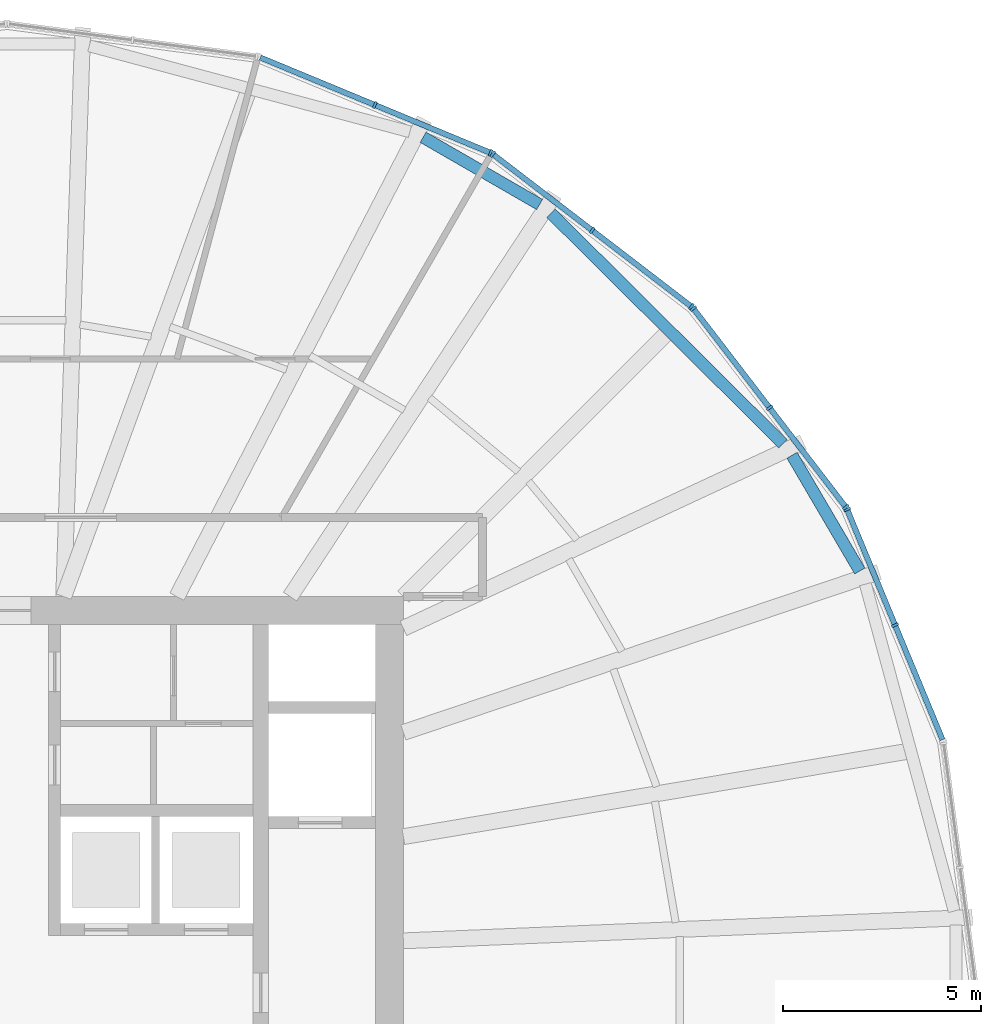
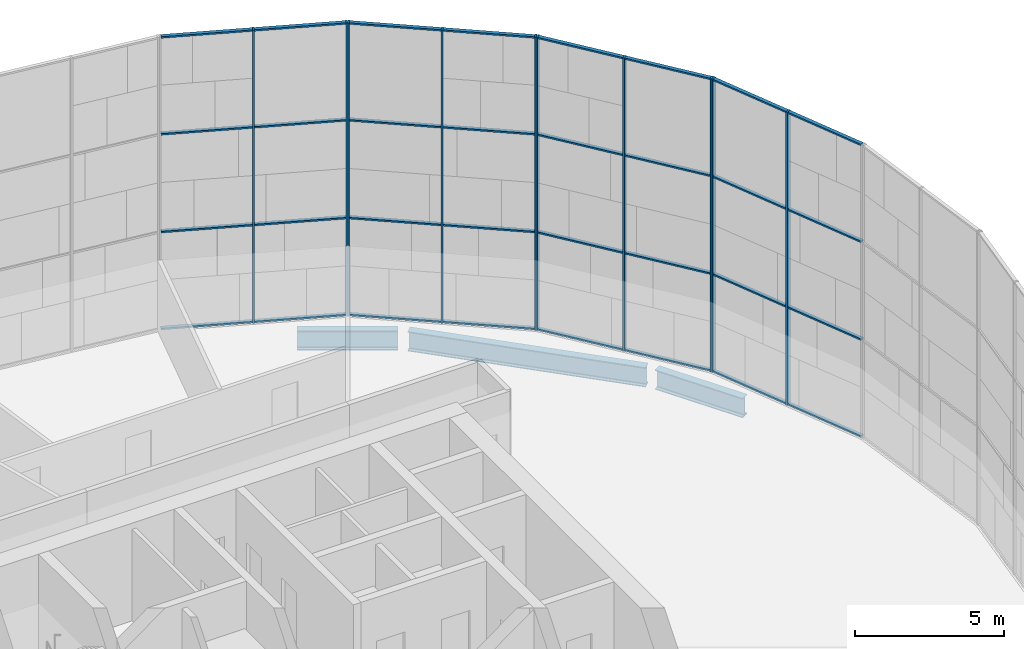
# One storey, part 8 of 22: 42 members, 3 beams, 4 elements without a shape of their own.
"""IFC4 building model written with IfcOpenShell, lengths in metres."""

from ifc_helpers import new_model, si_unit, direction, frame, origin, origin_2d, place, context, subcontext, project, spatial, rectangle, i_section, extrude, material, material_profile, profile_set, type_object, element, aggregate, save


model = new_model("IFC4")

# Units and contexts
model_context = context("Model", 3, precision=1e-05, world=origin(), true_north=direction((0.0, 1.0)))
body_context = subcontext(model_context, "Body", "Model", "MODEL_VIEW")
ifc_project = project(units=[si_unit("LENGTHUNIT", "METRE"), si_unit("AREAUNIT", "SQUARE_METRE"), si_unit("VOLUMEUNIT", "CUBIC_METRE"), si_unit("PLANEANGLEUNIT", "RADIAN"), si_unit("MASSUNIT", "GRAM", prefix="KILO")], contexts=[model_context])

# Site, building, storey
site_placement = place(None, origin())
site = spatial("IfcSite", under=ifc_project, at=site_placement, CompositionType="ELEMENT")
building_placement = place(site_placement, origin())
building = spatial("IfcBuilding", under=site, at=building_placement, Name="Golbaran Civic Tower", CompositionType="ELEMENT")
storey_placement = place(building_placement, frame((0.0, 0.0, 90.0)))
storey = spatial("IfcBuildingStorey", under=building, at=storey_placement, Name="L21", CompositionType="ELEMENT", Elevation=90.0)

# Beams
ifc_material_1 = material(Name="Steel S355", Category="steel")
ifc_material_profile_1 = material_profile(ifc_material_1, i_section(OverallWidth=0.300048828125, OverallDepth=0.800048828125, WebThickness=0.017578125, FlangeThickness=0.032958984375, FilletRadius=0.030029296875, at=origin_2d()), Name="HEB 800")
ifc_profile_set_1 = profile_set([ifc_material_profile_1], Name="Steel S355")
beam_type = type_object("IfcBeamType", Name="EDGE BEAM HEB 800", PredefinedType="BEAM", material=ifc_profile_set_1)
beam_1_placement = place(storey_placement, frame((21.517822265625, 10.6474609375, -0.60009765625), z_axis=(-0.50551208976, 0.862819521746, 0.0), x_axis=(-0.862819521746, -0.50551208976, 0.0)))
element("IfcBeam", 1, at=beam_1_placement, inside=storey, type_object=beam_type, Name="Edge beam 25.58 L21", PredefinedType="BEAM", context=body_context, shape_type="SweptSolid", body=[
    extrude(i_section(OverallWidth=0.300048828125, OverallDepth=0.800048828125, WebThickness=0.017578125, FlangeThickness=0.032958984375, FilletRadius=0.030029296875, at=origin_2d()), origin(), (0.0, 0.0, 1.0), 3.383544921875),
])
beam_2_placement = place(storey_placement, frame((19.580078125, 13.858154296875, -0.60009765625), z_axis=(-0.709410042226, 0.704795993171, 0.0), x_axis=(-0.704795993171, -0.709410042226, 0.0)))
element("IfcBeam", 2, at=beam_2_placement, inside=storey, type_object=beam_type, Name="Edge beam 34.42 L21", PredefinedType="BEAM", context=body_context, shape_type="SweptSolid", body=[
    extrude(i_section(OverallWidth=0.300048828125, OverallDepth=0.800048828125, WebThickness=0.017578125, FlangeThickness=0.032958984375, FilletRadius=0.030029296875, at=origin_2d()), origin(), (0.0, 0.0, 1.0), 8.25439453125),
])
beam_3_placement = place(storey_placement, frame((13.43798828125, 19.895263671875, -0.60009765625), z_axis=(-0.866177202748, 0.499736984262, 0.0), x_axis=(-0.499736984262, -0.866177202748, 0.0)))
element("IfcBeam", 3, at=beam_3_placement, inside=storey, type_object=beam_type, Name="Edge beam 55.58 L21", PredefinedType="BEAM", context=body_context, shape_type="SweptSolid", body=[
    extrude(i_section(OverallWidth=0.300048828125, OverallDepth=0.800048828125, WebThickness=0.017578125, FlangeThickness=0.032958984375, FilletRadius=0.030029296875, at=origin_2d()), origin(), (0.0, 0.0, 1.0), 3.393798828125),
])

# Curtain wall, members
ifc_material_2 = material(Name="Aluminium and glass", Category="aluminium")
curtain_wall_type = type_object("IfcCurtainWallType", Name="INNER SKIN CURTAIN WALL", PredefinedType="NOTDEFINED", material=ifc_material_2)
curtain_wall_1_placement = place(storey_placement, origin())
curtain_wall_1 = element("IfcCurtainWall", 4, at=curtain_wall_1_placement, inside=storey, type_object=curtain_wall_type, Name="Inner skin L21 facet 2 CW1", ObjectType="INNER SKIN", PredefinedType="USERDEFINED")
ifc_material_3 = material(Name="Aluminium", Category="aluminium")
ifc_material_profile_2 = material_profile(ifc_material_3, rectangle(XDim=0.179931640625, YDim=0.06494140625, at=origin_2d()), Name="INNER SKIN CURTAIN WALL MULLION")
ifc_profile_set_2 = profile_set([ifc_material_profile_2], Name="Aluminium")
member_type_1 = type_object("IfcMemberType", Name="INNER SKIN CURTAIN WALL MULLION", PredefinedType="MULLION", material=ifc_profile_set_2)
member_1_placement = place(storey_placement, frame((22.40576171875, 9.28076171875, 0.0), z_axis=(0.0, 0.0, 1.0), x_axis=(-0.923879532511, -0.382683432365, 0.0)))
member_1 = element("IfcMember", 5, at=member_1_placement, type_object=member_type_1, Name="CW1 mullion 2", PredefinedType="MULLION", context=body_context, shape_type="SweptSolid", body=[
    extrude(rectangle(XDim=0.179931640625, YDim=0.06494140625, at=origin_2d()), origin(), (0.0, 0.0, 1.0), 12.0),
])
member_2_placement = place(storey_placement, frame((21.1962890625, 12.200439453125, 0.0), z_axis=(0.0, 0.0, 1.0), x_axis=(-0.923879532511, -0.382683432365, 0.0)))
member_2 = element("IfcMember", 6, at=member_2_placement, type_object=member_type_1, Name="CW1 mullion 3", PredefinedType="MULLION", context=body_context, shape_type="SweptSolid", body=[
    extrude(rectangle(XDim=0.179931640625, YDim=0.06494140625, at=origin_2d()), origin(), (0.0, 0.0, 1.0), 12.0),
])

curtain_wall_2_placement = place(storey_placement, origin())
curtain_wall_2 = element("IfcCurtainWall", 7, at=curtain_wall_2_placement, inside=storey, type_object=curtain_wall_type, Name="Inner skin L21 facet 3 CW1", ObjectType="INNER SKIN", PredefinedType="USERDEFINED")
member_3_placement = place(storey_placement, frame((21.1640625, 12.25634765625, 0.0), z_axis=(0.0, 0.0, 1.0), x_axis=(-0.793353340344, -0.608761428939, 0.0)))
member_3 = element("IfcMember", 8, at=member_3_placement, type_object=member_type_1, Name="CW1 mullion 1", PredefinedType="MULLION", context=body_context, shape_type="SweptSolid", body=[
    extrude(rectangle(XDim=0.179931640625, YDim=0.06494140625, at=origin_2d()), origin(), (0.0, 0.0, 1.0), 12.0),
])
member_4_placement = place(storey_placement, frame((19.240234375, 14.763427734375, 0.0), z_axis=(0.0, 0.0, 1.0), x_axis=(-0.793353340344, -0.608761428939, 0.0)))
member_4 = element("IfcMember", 9, at=member_4_placement, type_object=member_type_1, Name="CW1 mullion 2", PredefinedType="MULLION", context=body_context, shape_type="SweptSolid", body=[
    extrude(rectangle(XDim=0.179931640625, YDim=0.06494140625, at=origin_2d()), origin(), (0.0, 0.0, 1.0), 12.0),
])
member_5_placement = place(storey_placement, frame((17.31640625, 17.270751953125, 0.0), z_axis=(0.0, 0.0, 1.0), x_axis=(-0.793353340344, -0.608761428939, 0.0)))
member_5 = element("IfcMember", 10, at=member_5_placement, type_object=member_type_1, Name="CW1 mullion 3", PredefinedType="MULLION", context=body_context, shape_type="SweptSolid", body=[
    extrude(rectangle(XDim=0.179931640625, YDim=0.06494140625, at=origin_2d()), origin(), (0.0, 0.0, 1.0), 12.0),
])

curtain_wall_3_placement = place(storey_placement, origin())
curtain_wall_3 = element("IfcCurtainWall", 11, at=curtain_wall_3_placement, inside=storey, type_object=curtain_wall_type, Name="Inner skin L21 facet 4 CW1", ObjectType="INNER SKIN", PredefinedType="USERDEFINED")
member_6_placement = place(storey_placement, frame((17.270751953125, 17.31640625, 0.0), z_axis=(0.0, 0.0, 1.0), x_axis=(-0.608761428939, -0.793353340344, 0.0)))
member_6 = element("IfcMember", 12, at=member_6_placement, type_object=member_type_1, Name="CW1 mullion 1", PredefinedType="MULLION", context=body_context, shape_type="SweptSolid", body=[
    extrude(rectangle(XDim=0.179931640625, YDim=0.06494140625, at=origin_2d()), origin(), (0.0, 0.0, 1.0), 12.0),
])
member_7_placement = place(storey_placement, frame((14.763427734375, 19.240234375, 0.0), z_axis=(0.0, 0.0, 1.0), x_axis=(-0.608761428939, -0.793353340344, 0.0)))
member_7 = element("IfcMember", 13, at=member_7_placement, type_object=member_type_1, Name="CW1 mullion 2", PredefinedType="MULLION", context=body_context, shape_type="SweptSolid", body=[
    extrude(rectangle(XDim=0.179931640625, YDim=0.06494140625, at=origin_2d()), origin(), (0.0, 0.0, 1.0), 12.0),
])
member_8_placement = place(storey_placement, frame((12.25634765625, 21.1640625, 0.0), z_axis=(0.0, 0.0, 1.0), x_axis=(-0.608761428939, -0.793353340344, 0.0)))
member_8 = element("IfcMember", 14, at=member_8_placement, type_object=member_type_1, Name="CW1 mullion 3", PredefinedType="MULLION", context=body_context, shape_type="SweptSolid", body=[
    extrude(rectangle(XDim=0.179931640625, YDim=0.06494140625, at=origin_2d()), origin(), (0.0, 0.0, 1.0), 12.0),
])

curtain_wall_4_placement = place(storey_placement, origin())
curtain_wall_4 = element("IfcCurtainWall", 15, at=curtain_wall_4_placement, inside=storey, type_object=curtain_wall_type, Name="Inner skin L21 facet 5 CW1", ObjectType="INNER SKIN", PredefinedType="USERDEFINED")
member_9_placement = place(storey_placement, frame((12.200439453125, 21.1962890625, 0.0), z_axis=(0.0, 0.0, 1.0), x_axis=(-0.382683432365, -0.923879532511, 0.0)))
member_9 = element("IfcMember", 16, at=member_9_placement, type_object=member_type_1, Name="CW1 mullion 1", PredefinedType="MULLION", context=body_context, shape_type="SweptSolid", body=[
    extrude(rectangle(XDim=0.179931640625, YDim=0.06494140625, at=origin_2d()), origin(), (0.0, 0.0, 1.0), 12.0),
])
member_10_placement = place(storey_placement, frame((9.28076171875, 22.40576171875, 0.0), z_axis=(0.0, 0.0, 1.0), x_axis=(-0.382683432365, -0.923879532511, 0.0)))
member_10 = element("IfcMember", 17, at=member_10_placement, type_object=member_type_1, Name="CW1 mullion 2", PredefinedType="MULLION", context=body_context, shape_type="SweptSolid", body=[
    extrude(rectangle(XDim=0.179931640625, YDim=0.06494140625, at=origin_2d()), origin(), (0.0, 0.0, 1.0), 12.0),
])

# Member
ifc_material_profile_3 = material_profile(ifc_material_3, rectangle(XDim=0.139892578125, YDim=0.06494140625, at=origin_2d()), Name="INNER SKIN CURTAIN WALL TRANSOM")
ifc_profile_set_3 = profile_set([ifc_material_profile_3], Name="Aluminium")
member_type_2 = type_object("IfcMemberType", Name="INNER SKIN CURTAIN WALL TRANSOM", PredefinedType="USERDEFINED", material=ifc_profile_set_3)
member_11_placement = place(storey_placement, frame((23.6025390625, 6.39111328125, 0.032470703125), z_axis=(-0.382637417099, 0.923898591316, 0.0), x_axis=(-0.923898591316, -0.382637417099, 0.0)))
member_11 = element("IfcMember", 18, at=member_11_placement, type_object=member_type_2, Name="CW1 transom 1.1", ObjectType="TRANSOM", PredefinedType="USERDEFINED", context=body_context, shape_type="SweptSolid", body=[
    extrude(rectangle(XDim=0.139892578125, YDim=0.06494140625, at=origin_2d()), origin(), (0.0, 0.0, 1.0), 3.09521484375),
])

member_12_placement = place(storey_placement, frame((23.6025390625, 6.39111328125, 4.0), z_axis=(-0.382637417099, 0.923898591316, 0.0), x_axis=(-0.923898591316, -0.382637417099, 0.0)))
member_12 = element("IfcMember", 19, at=member_12_placement, type_object=member_type_2, Name="CW1 transom 1.2", ObjectType="TRANSOM", PredefinedType="USERDEFINED", context=body_context, shape_type="SweptSolid", body=[
    extrude(rectangle(XDim=0.139892578125, YDim=0.06494140625, at=origin_2d()), origin(), (0.0, 0.0, 1.0), 3.09521484375),
])

member_13_placement = place(storey_placement, frame((23.6025390625, 6.39111328125, 8.0), z_axis=(-0.382637417099, 0.923898591316, 0.0), x_axis=(-0.923898591316, -0.382637417099, 0.0)))
member_13 = element("IfcMember", 20, at=member_13_placement, type_object=member_type_2, Name="CW1 transom 1.3", ObjectType="TRANSOM", PredefinedType="USERDEFINED", context=body_context, shape_type="SweptSolid", body=[
    extrude(rectangle(XDim=0.139892578125, YDim=0.06494140625, at=origin_2d()), origin(), (0.0, 0.0, 1.0), 3.09521484375),
])

member_14_placement = place(storey_placement, frame((23.6025390625, 6.39111328125, 11.967529296875), z_axis=(-0.382637417099, 0.923898591316, 0.0), x_axis=(-0.923898591316, -0.382637417099, 0.0)))
member_14 = element("IfcMember", 21, at=member_14_placement, type_object=member_type_2, Name="CW1 transom 1.4", ObjectType="TRANSOM", PredefinedType="USERDEFINED", context=body_context, shape_type="SweptSolid", body=[
    extrude(rectangle(XDim=0.139892578125, YDim=0.06494140625, at=origin_2d()), origin(), (0.0, 0.0, 1.0), 3.09521484375),
])

member_15_placement = place(storey_placement, frame((22.393310546875, 9.310791015625, 0.032470703125), z_axis=(-0.382704743455, 0.923870704881, 0.0), x_axis=(-0.923870704881, -0.382704743455, 0.0)))
member_15 = element("IfcMember", 22, at=member_15_placement, type_object=member_type_2, Name="CW1 transom 2.1", ObjectType="TRANSOM", PredefinedType="USERDEFINED", context=body_context, shape_type="SweptSolid", body=[
    extrude(rectangle(XDim=0.139892578125, YDim=0.06494140625, at=origin_2d()), origin(), (0.0, 0.0, 1.0), 3.09521484375),
])

member_16_placement = place(storey_placement, frame((22.393310546875, 9.310791015625, 4.0), z_axis=(-0.382704743455, 0.923870704881, 0.0), x_axis=(-0.923870704881, -0.382704743455, 0.0)))
member_16 = element("IfcMember", 23, at=member_16_placement, type_object=member_type_2, Name="CW1 transom 2.2", ObjectType="TRANSOM", PredefinedType="USERDEFINED", context=body_context, shape_type="SweptSolid", body=[
    extrude(rectangle(XDim=0.139892578125, YDim=0.06494140625, at=origin_2d()), origin(), (0.0, 0.0, 1.0), 3.09521484375),
])

member_17_placement = place(storey_placement, frame((22.393310546875, 9.310791015625, 8.0), z_axis=(-0.382704743455, 0.923870704881, 0.0), x_axis=(-0.923870704881, -0.382704743455, 0.0)))
member_17 = element("IfcMember", 24, at=member_17_placement, type_object=member_type_2, Name="CW1 transom 2.3", ObjectType="TRANSOM", PredefinedType="USERDEFINED", context=body_context, shape_type="SweptSolid", body=[
    extrude(rectangle(XDim=0.139892578125, YDim=0.06494140625, at=origin_2d()), origin(), (0.0, 0.0, 1.0), 3.09521484375),
])

member_18_placement = place(storey_placement, frame((22.393310546875, 9.310791015625, 11.967529296875), z_axis=(-0.382704743455, 0.923870704881, 0.0), x_axis=(-0.923870704881, -0.382704743455, 0.0)))
member_18 = element("IfcMember", 25, at=member_18_placement, type_object=member_type_2, Name="CW1 transom 2.4", ObjectType="TRANSOM", PredefinedType="USERDEFINED", context=body_context, shape_type="SweptSolid", body=[
    extrude(rectangle(XDim=0.139892578125, YDim=0.06494140625, at=origin_2d()), origin(), (0.0, 0.0, 1.0), 3.09521484375),
])

aggregate(curtain_wall_1, [member_1, member_2, member_11, member_12, member_13, member_14, member_15, member_16, member_17, member_18])

member_19_placement = place(storey_placement, frame((21.144287109375, 12.281982421875, 0.032470703125), z_axis=(-0.608734513706, 0.793373992404, 0.0), x_axis=(-0.793373992404, -0.608734513706, 0.0)))
member_19 = element("IfcMember", 26, at=member_19_placement, type_object=member_type_2, Name="CW1 transom 1.1", ObjectType="TRANSOM", PredefinedType="USERDEFINED", context=body_context, shape_type="SweptSolid", body=[
    extrude(rectangle(XDim=0.139892578125, YDim=0.06494140625, at=origin_2d()), origin(), (0.0, 0.0, 1.0), 3.095458984375),
])

member_20_placement = place(storey_placement, frame((21.144287109375, 12.281982421875, 4.0), z_axis=(-0.608734513706, 0.793373992404, 0.0), x_axis=(-0.793373992404, -0.608734513706, 0.0)))
member_20 = element("IfcMember", 27, at=member_20_placement, type_object=member_type_2, Name="CW1 transom 1.2", ObjectType="TRANSOM", PredefinedType="USERDEFINED", context=body_context, shape_type="SweptSolid", body=[
    extrude(rectangle(XDim=0.139892578125, YDim=0.06494140625, at=origin_2d()), origin(), (0.0, 0.0, 1.0), 3.095458984375),
])

member_21_placement = place(storey_placement, frame((21.144287109375, 12.281982421875, 8.0), z_axis=(-0.608734513706, 0.793373992404, 0.0), x_axis=(-0.793373992404, -0.608734513706, 0.0)))
member_21 = element("IfcMember", 28, at=member_21_placement, type_object=member_type_2, Name="CW1 transom 1.3", ObjectType="TRANSOM", PredefinedType="USERDEFINED", context=body_context, shape_type="SweptSolid", body=[
    extrude(rectangle(XDim=0.139892578125, YDim=0.06494140625, at=origin_2d()), origin(), (0.0, 0.0, 1.0), 3.095458984375),
])

member_22_placement = place(storey_placement, frame((21.144287109375, 12.281982421875, 11.967529296875), z_axis=(-0.608734513706, 0.793373992404, 0.0), x_axis=(-0.793373992404, -0.608734513706, 0.0)))
member_22 = element("IfcMember", 29, at=member_22_placement, type_object=member_type_2, Name="CW1 transom 1.4", ObjectType="TRANSOM", PredefinedType="USERDEFINED", context=body_context, shape_type="SweptSolid", body=[
    extrude(rectangle(XDim=0.139892578125, YDim=0.06494140625, at=origin_2d()), origin(), (0.0, 0.0, 1.0), 3.095458984375),
])

member_23_placement = place(storey_placement, frame((19.220458984375, 14.789306640625, 0.032470703125), z_axis=(-0.608772606973, 0.793344763013, 0.0), x_axis=(-0.793344763013, -0.608772606973, 0.0)))
member_23 = element("IfcMember", 30, at=member_23_placement, type_object=member_type_2, Name="CW1 transom 2.1", ObjectType="TRANSOM", PredefinedType="USERDEFINED", context=body_context, shape_type="SweptSolid", body=[
    extrude(rectangle(XDim=0.139892578125, YDim=0.06494140625, at=origin_2d()), origin(), (0.0, 0.0, 1.0), 3.09521484375),
])

member_24_placement = place(storey_placement, frame((19.220458984375, 14.789306640625, 4.0), z_axis=(-0.608772606973, 0.793344763013, 0.0), x_axis=(-0.793344763013, -0.608772606973, 0.0)))
member_24 = element("IfcMember", 31, at=member_24_placement, type_object=member_type_2, Name="CW1 transom 2.2", ObjectType="TRANSOM", PredefinedType="USERDEFINED", context=body_context, shape_type="SweptSolid", body=[
    extrude(rectangle(XDim=0.139892578125, YDim=0.06494140625, at=origin_2d()), origin(), (0.0, 0.0, 1.0), 3.09521484375),
])

member_25_placement = place(storey_placement, frame((19.220458984375, 14.789306640625, 8.0), z_axis=(-0.608772606973, 0.793344763013, 0.0), x_axis=(-0.793344763013, -0.608772606973, 0.0)))
member_25 = element("IfcMember", 32, at=member_25_placement, type_object=member_type_2, Name="CW1 transom 2.3", ObjectType="TRANSOM", PredefinedType="USERDEFINED", context=body_context, shape_type="SweptSolid", body=[
    extrude(rectangle(XDim=0.139892578125, YDim=0.06494140625, at=origin_2d()), origin(), (0.0, 0.0, 1.0), 3.09521484375),
])

member_26_placement = place(storey_placement, frame((19.220458984375, 14.789306640625, 11.967529296875), z_axis=(-0.608772606973, 0.793344763013, 0.0), x_axis=(-0.793344763013, -0.608772606973, 0.0)))
member_26 = element("IfcMember", 33, at=member_26_placement, type_object=member_type_2, Name="CW1 transom 2.4", ObjectType="TRANSOM", PredefinedType="USERDEFINED", context=body_context, shape_type="SweptSolid", body=[
    extrude(rectangle(XDim=0.139892578125, YDim=0.06494140625, at=origin_2d()), origin(), (0.0, 0.0, 1.0), 3.09521484375),
])

aggregate(curtain_wall_2, [member_3, member_4, member_5, member_19, member_20, member_21, member_22, member_23, member_24, member_25, member_26])

member_27_placement = place(storey_placement, frame((17.244873046875, 17.336181640625, 0.032470703125), z_axis=(-0.793344763013, 0.608772606973, 0.0), x_axis=(-0.608772606973, -0.793344763013, 0.0)))
member_27 = element("IfcMember", 34, at=member_27_placement, type_object=member_type_2, Name="CW1 transom 1.1", ObjectType="TRANSOM", PredefinedType="USERDEFINED", context=body_context, shape_type="SweptSolid", body=[
    extrude(rectangle(XDim=0.139892578125, YDim=0.06494140625, at=origin_2d()), origin(), (0.0, 0.0, 1.0), 3.09521484375),
])

member_28_placement = place(storey_placement, frame((17.244873046875, 17.336181640625, 4.0), z_axis=(-0.793344763013, 0.608772606973, 0.0), x_axis=(-0.608772606973, -0.793344763013, 0.0)))
member_28 = element("IfcMember", 35, at=member_28_placement, type_object=member_type_2, Name="CW1 transom 1.2", ObjectType="TRANSOM", PredefinedType="USERDEFINED", context=body_context, shape_type="SweptSolid", body=[
    extrude(rectangle(XDim=0.139892578125, YDim=0.06494140625, at=origin_2d()), origin(), (0.0, 0.0, 1.0), 3.09521484375),
])

member_29_placement = place(storey_placement, frame((17.244873046875, 17.336181640625, 8.0), z_axis=(-0.793344763013, 0.608772606973, 0.0), x_axis=(-0.608772606973, -0.793344763013, 0.0)))
member_29 = element("IfcMember", 36, at=member_29_placement, type_object=member_type_2, Name="CW1 transom 1.3", ObjectType="TRANSOM", PredefinedType="USERDEFINED", context=body_context, shape_type="SweptSolid", body=[
    extrude(rectangle(XDim=0.139892578125, YDim=0.06494140625, at=origin_2d()), origin(), (0.0, 0.0, 1.0), 3.09521484375),
])

member_30_placement = place(storey_placement, frame((17.244873046875, 17.336181640625, 11.967529296875), z_axis=(-0.793344763013, 0.608772606973, 0.0), x_axis=(-0.608772606973, -0.793344763013, 0.0)))
member_30 = element("IfcMember", 37, at=member_30_placement, type_object=member_type_2, Name="CW1 transom 1.4", ObjectType="TRANSOM", PredefinedType="USERDEFINED", context=body_context, shape_type="SweptSolid", body=[
    extrude(rectangle(XDim=0.139892578125, YDim=0.06494140625, at=origin_2d()), origin(), (0.0, 0.0, 1.0), 3.09521484375),
])

member_31_placement = place(storey_placement, frame((14.73779296875, 19.260009765625, 0.032470703125), z_axis=(-0.793373992404, 0.608734513706, 0.0), x_axis=(-0.608734513706, -0.793373992404, 0.0)))
member_31 = element("IfcMember", 38, at=member_31_placement, type_object=member_type_2, Name="CW1 transom 2.1", ObjectType="TRANSOM", PredefinedType="USERDEFINED", context=body_context, shape_type="SweptSolid", body=[
    extrude(rectangle(XDim=0.139892578125, YDim=0.06494140625, at=origin_2d()), origin(), (0.0, 0.0, 1.0), 3.095458984375),
])

member_32_placement = place(storey_placement, frame((14.73779296875, 19.260009765625, 4.0), z_axis=(-0.793373992404, 0.608734513706, 0.0), x_axis=(-0.608734513706, -0.793373992404, 0.0)))
member_32 = element("IfcMember", 39, at=member_32_placement, type_object=member_type_2, Name="CW1 transom 2.2", ObjectType="TRANSOM", PredefinedType="USERDEFINED", context=body_context, shape_type="SweptSolid", body=[
    extrude(rectangle(XDim=0.139892578125, YDim=0.06494140625, at=origin_2d()), origin(), (0.0, 0.0, 1.0), 3.095458984375),
])

member_33_placement = place(storey_placement, frame((14.73779296875, 19.260009765625, 8.0), z_axis=(-0.793373992404, 0.608734513706, 0.0), x_axis=(-0.608734513706, -0.793373992404, 0.0)))
member_33 = element("IfcMember", 40, at=member_33_placement, type_object=member_type_2, Name="CW1 transom 2.3", ObjectType="TRANSOM", PredefinedType="USERDEFINED", context=body_context, shape_type="SweptSolid", body=[
    extrude(rectangle(XDim=0.139892578125, YDim=0.06494140625, at=origin_2d()), origin(), (0.0, 0.0, 1.0), 3.095458984375),
])

member_34_placement = place(storey_placement, frame((14.73779296875, 19.260009765625, 11.967529296875), z_axis=(-0.793373992404, 0.608734513706, 0.0), x_axis=(-0.608734513706, -0.793373992404, 0.0)))
member_34 = element("IfcMember", 41, at=member_34_placement, type_object=member_type_2, Name="CW1 transom 2.4", ObjectType="TRANSOM", PredefinedType="USERDEFINED", context=body_context, shape_type="SweptSolid", body=[
    extrude(rectangle(XDim=0.139892578125, YDim=0.06494140625, at=origin_2d()), origin(), (0.0, 0.0, 1.0), 3.095458984375),
])

aggregate(curtain_wall_3, [member_6, member_7, member_8, member_27, member_28, member_29, member_30, member_31, member_32, member_33, member_34])

member_35_placement = place(storey_placement, frame((12.17041015625, 21.208740234375, 0.032470703125), z_axis=(-0.923870704881, 0.382704743455, 0.0), x_axis=(-0.382704743455, -0.923870704881, 0.0)))
member_35 = element("IfcMember", 42, at=member_35_placement, type_object=member_type_2, Name="CW1 transom 1.1", ObjectType="TRANSOM", PredefinedType="USERDEFINED", context=body_context, shape_type="SweptSolid", body=[
    extrude(rectangle(XDim=0.139892578125, YDim=0.06494140625, at=origin_2d()), origin(), (0.0, 0.0, 1.0), 3.09521484375),
])

member_36_placement = place(storey_placement, frame((12.17041015625, 21.208740234375, 4.0), z_axis=(-0.923870704881, 0.382704743455, 0.0), x_axis=(-0.382704743455, -0.923870704881, 0.0)))
member_36 = element("IfcMember", 43, at=member_36_placement, type_object=member_type_2, Name="CW1 transom 1.2", ObjectType="TRANSOM", PredefinedType="USERDEFINED", context=body_context, shape_type="SweptSolid", body=[
    extrude(rectangle(XDim=0.139892578125, YDim=0.06494140625, at=origin_2d()), origin(), (0.0, 0.0, 1.0), 3.09521484375),
])

member_37_placement = place(storey_placement, frame((12.17041015625, 21.208740234375, 8.0), z_axis=(-0.923870704881, 0.382704743455, 0.0), x_axis=(-0.382704743455, -0.923870704881, 0.0)))
member_37 = element("IfcMember", 44, at=member_37_placement, type_object=member_type_2, Name="CW1 transom 1.3", ObjectType="TRANSOM", PredefinedType="USERDEFINED", context=body_context, shape_type="SweptSolid", body=[
    extrude(rectangle(XDim=0.139892578125, YDim=0.06494140625, at=origin_2d()), origin(), (0.0, 0.0, 1.0), 3.09521484375),
])

member_38_placement = place(storey_placement, frame((12.17041015625, 21.208740234375, 11.967529296875), z_axis=(-0.923870704881, 0.382704743455, 0.0), x_axis=(-0.382704743455, -0.923870704881, 0.0)))
member_38 = element("IfcMember", 45, at=member_38_placement, type_object=member_type_2, Name="CW1 transom 1.4", ObjectType="TRANSOM", PredefinedType="USERDEFINED", context=body_context, shape_type="SweptSolid", body=[
    extrude(rectangle(XDim=0.139892578125, YDim=0.06494140625, at=origin_2d()), origin(), (0.0, 0.0, 1.0), 3.09521484375),
])

member_39_placement = place(storey_placement, frame((9.250732421875, 22.418212890625, 0.032470703125), z_axis=(-0.923898591316, 0.382637417099, 0.0), x_axis=(-0.382637417099, -0.923898591316, 0.0)))
member_39 = element("IfcMember", 46, at=member_39_placement, type_object=member_type_2, Name="CW1 transom 2.1", ObjectType="TRANSOM", PredefinedType="USERDEFINED", context=body_context, shape_type="SweptSolid", body=[
    extrude(rectangle(XDim=0.139892578125, YDim=0.06494140625, at=origin_2d()), origin(), (0.0, 0.0, 1.0), 3.09521484375),
])

member_40_placement = place(storey_placement, frame((9.250732421875, 22.418212890625, 4.0), z_axis=(-0.923898591316, 0.382637417099, 0.0), x_axis=(-0.382637417099, -0.923898591316, 0.0)))
member_40 = element("IfcMember", 47, at=member_40_placement, type_object=member_type_2, Name="CW1 transom 2.2", ObjectType="TRANSOM", PredefinedType="USERDEFINED", context=body_context, shape_type="SweptSolid", body=[
    extrude(rectangle(XDim=0.139892578125, YDim=0.06494140625, at=origin_2d()), origin(), (0.0, 0.0, 1.0), 3.09521484375),
])

member_41_placement = place(storey_placement, frame((9.250732421875, 22.418212890625, 8.0), z_axis=(-0.923898591316, 0.382637417099, 0.0), x_axis=(-0.382637417099, -0.923898591316, 0.0)))
member_41 = element("IfcMember", 48, at=member_41_placement, type_object=member_type_2, Name="CW1 transom 2.3", ObjectType="TRANSOM", PredefinedType="USERDEFINED", context=body_context, shape_type="SweptSolid", body=[
    extrude(rectangle(XDim=0.139892578125, YDim=0.06494140625, at=origin_2d()), origin(), (0.0, 0.0, 1.0), 3.09521484375),
])

member_42_placement = place(storey_placement, frame((9.250732421875, 22.418212890625, 11.967529296875), z_axis=(-0.923898591316, 0.382637417099, 0.0), x_axis=(-0.382637417099, -0.923898591316, 0.0)))
member_42 = element("IfcMember", 49, at=member_42_placement, type_object=member_type_2, Name="CW1 transom 2.4", ObjectType="TRANSOM", PredefinedType="USERDEFINED", context=body_context, shape_type="SweptSolid", body=[
    extrude(rectangle(XDim=0.139892578125, YDim=0.06494140625, at=origin_2d()), origin(), (0.0, 0.0, 1.0), 3.09521484375),
])

aggregate(curtain_wall_4, [member_9, member_10, member_35, member_36, member_37, member_38, member_39, member_40, member_41, member_42])

save(model, "model.ifc")
